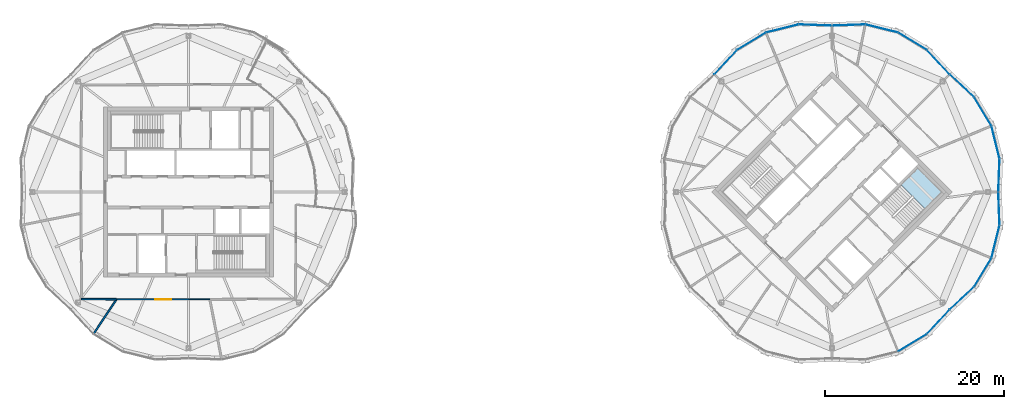
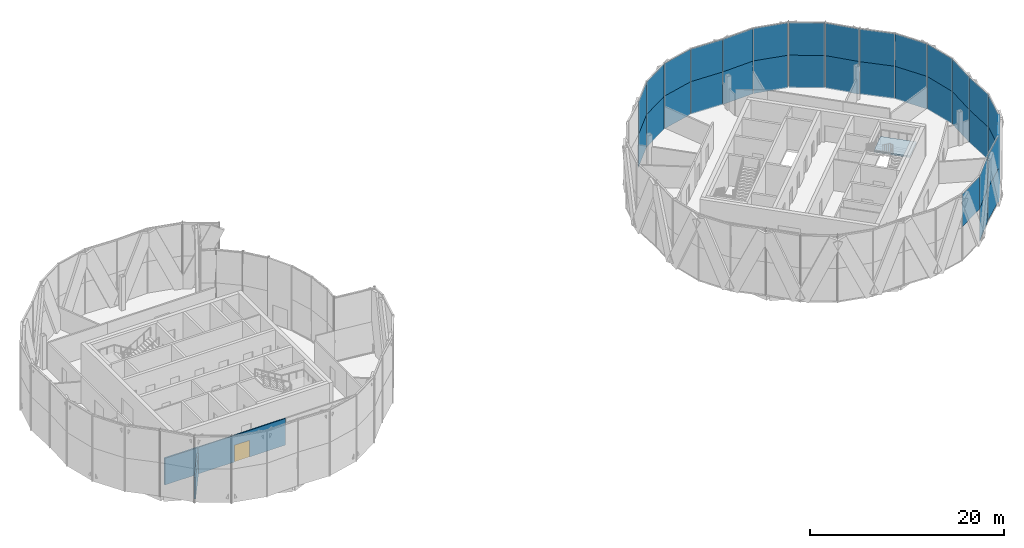
# One storey, part 15 of 24: 35 plates, 3 walls, 1 door, 1 slab, 1 opening, 6 elements without a shape of their own.
"""IFC4 building model written with IfcOpenShell, lengths in metres."""

from ifc_helpers import new_model, si_unit, direction, frame, frame_2d, origin, origin_2d, place, context, subcontext, project, spatial, polyline, rectangle, outline, extrude, material, layer, layer_set, type_object, element, fill, aggregate, save


model = new_model("IFC4")

# Units and contexts
model_context = context("Model", 3, precision=1e-05, world=origin(), true_north=direction((0.0, 1.0)))
body_context = subcontext(model_context, "Body", "Model", "MODEL_VIEW")
ifc_project = project(units=[si_unit("LENGTHUNIT", "METRE"), si_unit("AREAUNIT", "SQUARE_METRE"), si_unit("VOLUMEUNIT", "CUBIC_METRE"), si_unit("PLANEANGLEUNIT", "RADIAN"), si_unit("MASSUNIT", "GRAM", prefix="KILO")], contexts=[model_context])

# Site, building, storey
site_placement = place(None, origin())
site = spatial("IfcSite", under=ifc_project, at=site_placement, CompositionType="ELEMENT")
building_placement = place(site_placement, origin())
building = spatial("IfcBuilding", under=site, at=building_placement, Name="Ogive Gate Towers", CompositionType="ELEMENT")
storey_placement = place(building_placement, frame((0.0, 0.0, 277.199951171875)))
storey = spatial("IfcBuildingStorey", under=building, at=storey_placement, Name="L65", CompositionType="ELEMENT", Elevation=277.199951171875)

# Stair, slab
ifc_material_1 = material(Name="Concrete C40/50", Category="concrete")
stair_type = type_object("IfcStairType", Name="Escape stair 1840 wide", PredefinedType="HALF_TURN_STAIR", material=ifc_material_1)
stair_placement = place(storey_placement, origin())
stair = element("IfcStair", 1, at=stair_placement, inside=storey, type_object=stair_type, Name="L65 Escape stair 2", PredefinedType="HALF_TURN_STAIR")
ifc_layer_1 = layer(ifc_material_1, 0.199951171875)
ifc_layer_set_1 = layer_set([ifc_layer_1], Name="Stair landing 200 mm")
slab_type = type_object("IfcSlabType", Name="Stair landing 200 mm", PredefinedType="LANDING", material=ifc_layer_set_1)
slab_placement = place(storey_placement, frame((0.0, 0.0, 1.900146484375)))
slab = element("IfcSlab", 2, at=slab_placement, type_object=slab_type, Name="ST2 landing 1", PredefinedType="LANDING", context=body_context, shape_type="SweptSolid", body=[
    extrude(outline(polyline([(46.413818359375, -1.8896484375), (48.3037109375, 0.0), (45.598876953125, 2.70458984375), (43.709228515625, 0.81494140625), (46.413818359375, -1.8896484375)])), origin(), (0.0, 0.0, 1.0), 0.199951171875),
])
aggregate(stair, [slab])

# Curtain wall, plates
ifc_material_2 = material(Name="Pale metal aluminium", Category="aluminium")
curtain_wall_type = type_object("IfcCurtainWallType", Name="Tower unitised wall, high zone", PredefinedType="NOTDEFINED", material=ifc_material_2)
curtain_wall_1_placement = place(storey_placement, origin())
curtain_wall_1 = element("IfcCurtainWall", 3, at=curtain_wall_1_placement, inside=storey, type_object=curtain_wall_type, Name="CW2 T2 ECW01", PredefinedType="NOTDEFINED")
ifc_material_3 = material(Name="Clear glass", Category="glass")
ifc_layer_2 = layer(ifc_material_3, 0.028076171875)
ifc_layer_set_2 = layer_set([ifc_layer_2], Name="Tower unitised wall, high zone glass panel")
plate_type = type_object("IfcPlateType", Name="Tower unitised wall, high zone glass panel", PredefinedType="CURTAIN_PANEL", material=ifc_layer_set_2)
plate_1_placement = place(storey_placement, frame((54.677490234375, 1.857421875, -0.203857421875), z_axis=(0.0, 0.0, 1.0), x_axis=(0.036294875066, 0.999341123963, 0.0)))
plate_1 = element("IfcPlate", 4, at=plate_1_placement, type_object=plate_type, Name="CW2 glass panel", PredefinedType="CURTAIN_PANEL", context=body_context, shape_type="SweptSolid", body=[
    extrude(rectangle(XDim=3.66357421875, YDim=0.028076171875, at=origin_2d()), origin(), (0.0, 0.0, 1.0), 4.10400390625),
])
plate_2_placement = place(storey_placement, frame((54.677490234375, 1.857421875, 3.900146484375), z_axis=(0.0, 0.0, 1.0), x_axis=(0.036294875066, 0.999341123963, 0.0)))
plate_2 = element("IfcPlate", 5, at=plate_2_placement, type_object=plate_type, Name="CW2 glass panel", PredefinedType="CURTAIN_PANEL", context=body_context, shape_type="SweptSolid", body=[
    extrude(rectangle(XDim=3.66357421875, YDim=0.028076171875, at=origin_2d()), origin(), (0.0, 0.0, 1.0), 4.10400390625),
])
plate_3_placement = place(storey_placement, frame((54.293212890625, 5.554443359375, -0.203857421875), z_axis=(0.0, 0.0, 1.0), x_axis=(-0.239109698229, 0.970992560328, 0.0)))
plate_3 = element("IfcPlate", 6, at=plate_3_placement, type_object=plate_type, Name="CW2 glass panel", PredefinedType="CURTAIN_PANEL", context=body_context, shape_type="SweptSolid", body=[
    extrude(rectangle(XDim=3.71875, YDim=0.028076171875, at=origin_2d()), origin(), (0.0, 0.0, 1.0), 4.10400390625),
])
plate_4_placement = place(storey_placement, frame((54.293212890625, 5.554443359375, 3.900146484375), z_axis=(0.0, 0.0, 1.0), x_axis=(-0.239109698229, 0.970992560328, 0.0)))
plate_4 = element("IfcPlate", 7, at=plate_4_placement, type_object=plate_type, Name="CW2 glass panel", PredefinedType="CURTAIN_PANEL", context=body_context, shape_type="SweptSolid", body=[
    extrude(rectangle(XDim=3.71875, YDim=0.028076171875, at=origin_2d()), origin(), (0.0, 0.0, 1.0), 4.10400390625),
])
plate_5_placement = place(storey_placement, frame((52.86279296875, 9.0078125, -0.203857421875), z_axis=(0.0, 0.0, 1.0), x_axis=(-0.517519334825, 0.855671512955, 0.0)))
plate_5 = element("IfcPlate", 8, at=plate_5_placement, type_object=plate_type, Name="CW2 glass panel", PredefinedType="CURTAIN_PANEL", context=body_context, shape_type="SweptSolid", body=[
    extrude(rectangle(XDim=3.718505859375, YDim=0.028076171875, at=origin_2d()), origin(), (0.0, 0.0, 1.0), 4.10400390625),
])
plate_6_placement = place(storey_placement, frame((52.86279296875, 9.0078125, 3.900146484375), z_axis=(0.0, 0.0, 1.0), x_axis=(-0.517519334825, 0.855671512955, 0.0)))
plate_6 = element("IfcPlate", 9, at=plate_6_placement, type_object=plate_type, Name="CW2 glass panel", PredefinedType="CURTAIN_PANEL", context=body_context, shape_type="SweptSolid", body=[
    extrude(rectangle(XDim=3.718505859375, YDim=0.028076171875, at=origin_2d()), origin(), (0.0, 0.0, 1.0), 4.10400390625),
])
plate_7_placement = place(storey_placement, frame((50.5205078125, 11.8935546875, -0.203857421875), z_axis=(0.0, 0.0, 1.0), x_axis=(-0.732317122925, 0.680963751951, 0.0)))
plate_7 = element("IfcPlate", 10, at=plate_7_placement, type_object=plate_type, Name="CW2 glass panel", PredefinedType="CURTAIN_PANEL", context=body_context, shape_type="SweptSolid", body=[
    extrude(rectangle(XDim=3.66357421875, YDim=0.028076171875, at=origin_2d()), origin(), (0.0, 0.0, 1.0), 4.10400390625),
])
plate_8_placement = place(storey_placement, frame((50.5205078125, 11.8935546875, 3.900146484375), z_axis=(0.0, 0.0, 1.0), x_axis=(-0.732317122925, 0.680963751951, 0.0)))
plate_8 = element("IfcPlate", 11, at=plate_8_placement, type_object=plate_type, Name="CW2 glass panel", PredefinedType="CURTAIN_PANEL", context=body_context, shape_type="SweptSolid", body=[
    extrude(rectangle(XDim=3.66357421875, YDim=0.028076171875, at=origin_2d()), origin(), (0.0, 0.0, 1.0), 4.10400390625),
])
aggregate(curtain_wall_1, [plate_1, plate_2, plate_3, plate_4, plate_5, plate_6, plate_7, plate_8])

curtain_wall_2_placement = place(storey_placement, origin())
curtain_wall_2 = element("IfcCurtainWall", 12, at=curtain_wall_2_placement, inside=storey, type_object=curtain_wall_type, Name="CW2 T2 ECW02", PredefinedType="NOTDEFINED")
plate_9_placement = place(storey_placement, frame((47.8935546875, 14.5205078125, -0.203857421875), z_axis=(0.0, 0.0, 1.0), x_axis=(-0.680963751951, 0.732317122925, 0.0)))
plate_9 = element("IfcPlate", 13, at=plate_9_placement, type_object=plate_type, Name="CW2 glass panel", PredefinedType="CURTAIN_PANEL", context=body_context, shape_type="SweptSolid", body=[
    extrude(rectangle(XDim=3.66357421875, YDim=0.028076171875, at=origin_2d()), origin(), (0.0, 0.0, 1.0), 4.10400390625),
])
plate_10_placement = place(storey_placement, frame((47.8935546875, 14.5205078125, 3.900146484375), z_axis=(0.0, 0.0, 1.0), x_axis=(-0.680963751951, 0.732317122925, 0.0)))
plate_10 = element("IfcPlate", 14, at=plate_10_placement, type_object=plate_type, Name="CW2 glass panel", PredefinedType="CURTAIN_PANEL", context=body_context, shape_type="SweptSolid", body=[
    extrude(rectangle(XDim=3.66357421875, YDim=0.028076171875, at=origin_2d()), origin(), (0.0, 0.0, 1.0), 4.10400390625),
])
plate_11_placement = place(storey_placement, frame((45.0078125, 16.86279296875, -0.203857421875), z_axis=(0.0, 0.0, 1.0), x_axis=(-0.855671512955, 0.517519334825, 0.0)))
plate_11 = element("IfcPlate", 15, at=plate_11_placement, type_object=plate_type, Name="CW2 glass panel", PredefinedType="CURTAIN_PANEL", context=body_context, shape_type="SweptSolid", body=[
    extrude(rectangle(XDim=3.718505859375, YDim=0.028076171875, at=origin_2d()), origin(), (0.0, 0.0, 1.0), 4.10400390625),
])
plate_12_placement = place(storey_placement, frame((45.0078125, 16.86279296875, 3.900146484375), z_axis=(0.0, 0.0, 1.0), x_axis=(-0.855671512955, 0.517519334825, 0.0)))
plate_12 = element("IfcPlate", 16, at=plate_12_placement, type_object=plate_type, Name="CW2 glass panel", PredefinedType="CURTAIN_PANEL", context=body_context, shape_type="SweptSolid", body=[
    extrude(rectangle(XDim=3.718505859375, YDim=0.028076171875, at=origin_2d()), origin(), (0.0, 0.0, 1.0), 4.10400390625),
])
plate_13_placement = place(storey_placement, frame((41.554443359375, 18.293212890625, -0.203857421875), z_axis=(0.0, 0.0, 1.0), x_axis=(-0.970992560328, 0.239109698229, 0.0)))
plate_13 = element("IfcPlate", 17, at=plate_13_placement, type_object=plate_type, Name="CW2 glass panel", PredefinedType="CURTAIN_PANEL", context=body_context, shape_type="SweptSolid", body=[
    extrude(rectangle(XDim=3.71875, YDim=0.028076171875, at=origin_2d()), origin(), (0.0, 0.0, 1.0), 4.10400390625),
])
plate_14_placement = place(storey_placement, frame((41.554443359375, 18.293212890625, 3.900146484375), z_axis=(0.0, 0.0, 1.0), x_axis=(-0.970992560328, 0.239109698229, 0.0)))
plate_14 = element("IfcPlate", 18, at=plate_14_placement, type_object=plate_type, Name="CW2 glass panel", PredefinedType="CURTAIN_PANEL", context=body_context, shape_type="SweptSolid", body=[
    extrude(rectangle(XDim=3.71875, YDim=0.028076171875, at=origin_2d()), origin(), (0.0, 0.0, 1.0), 4.10400390625),
])
plate_15_placement = place(storey_placement, frame((37.857421875, 18.677490234375, -0.203857421875), z_axis=(0.0, 0.0, 1.0), x_axis=(-0.999341123963, -0.036294875066, 0.0)))
plate_15 = element("IfcPlate", 19, at=plate_15_placement, type_object=plate_type, Name="CW2 glass panel", PredefinedType="CURTAIN_PANEL", context=body_context, shape_type="SweptSolid", body=[
    extrude(rectangle(XDim=3.66357421875, YDim=0.028076171875, at=origin_2d()), origin(), (0.0, 0.0, 1.0), 4.10400390625),
])
plate_16_placement = place(storey_placement, frame((37.857421875, 18.677490234375, 3.900146484375), z_axis=(0.0, 0.0, 1.0), x_axis=(-0.999341123963, -0.036294875066, 0.0)))
plate_16 = element("IfcPlate", 20, at=plate_16_placement, type_object=plate_type, Name="CW2 glass panel", PredefinedType="CURTAIN_PANEL", context=body_context, shape_type="SweptSolid", body=[
    extrude(rectangle(XDim=3.66357421875, YDim=0.028076171875, at=origin_2d()), origin(), (0.0, 0.0, 1.0), 4.10400390625),
])
aggregate(curtain_wall_2, [plate_9, plate_10, plate_11, plate_12, plate_13, plate_14, plate_15, plate_16])

curtain_wall_3_placement = place(storey_placement, origin())
curtain_wall_3 = element("IfcCurtainWall", 21, at=curtain_wall_3_placement, inside=storey, type_object=curtain_wall_type, Name="CW2 T2 ECW03", PredefinedType="NOTDEFINED")
plate_17_placement = place(storey_placement, frame((34.142578125, 18.677490234375, -0.203857421875), z_axis=(0.0, 0.0, 1.0), x_axis=(-0.999341123963, 0.036294875066, 0.0)))
plate_17 = element("IfcPlate", 22, at=plate_17_placement, type_object=plate_type, Name="CW2 glass panel", PredefinedType="CURTAIN_PANEL", context=body_context, shape_type="SweptSolid", body=[
    extrude(rectangle(XDim=3.66357421875, YDim=0.028076171875, at=origin_2d()), origin(), (0.0, 0.0, 1.0), 4.10400390625),
])
plate_18_placement = place(storey_placement, frame((34.142578125, 18.677490234375, 3.900146484375), z_axis=(0.0, 0.0, 1.0), x_axis=(-0.999341123963, 0.036294875066, 0.0)))
plate_18 = element("IfcPlate", 23, at=plate_18_placement, type_object=plate_type, Name="CW2 glass panel", PredefinedType="CURTAIN_PANEL", context=body_context, shape_type="SweptSolid", body=[
    extrude(rectangle(XDim=3.66357421875, YDim=0.028076171875, at=origin_2d()), origin(), (0.0, 0.0, 1.0), 4.10400390625),
])
plate_19_placement = place(storey_placement, frame((30.445556640625, 18.293212890625, -0.203857421875), z_axis=(0.0, 0.0, 1.0), x_axis=(-0.970992560328, -0.239109698229, 0.0)))
plate_19 = element("IfcPlate", 24, at=plate_19_placement, type_object=plate_type, Name="CW2 glass panel", PredefinedType="CURTAIN_PANEL", context=body_context, shape_type="SweptSolid", body=[
    extrude(rectangle(XDim=3.71875, YDim=0.028076171875, at=origin_2d()), origin(), (0.0, 0.0, 1.0), 4.10400390625),
])
plate_20_placement = place(storey_placement, frame((30.445556640625, 18.293212890625, 3.900146484375), z_axis=(0.0, 0.0, 1.0), x_axis=(-0.970992560328, -0.239109698229, 0.0)))
plate_20 = element("IfcPlate", 25, at=plate_20_placement, type_object=plate_type, Name="CW2 glass panel", PredefinedType="CURTAIN_PANEL", context=body_context, shape_type="SweptSolid", body=[
    extrude(rectangle(XDim=3.71875, YDim=0.028076171875, at=origin_2d()), origin(), (0.0, 0.0, 1.0), 4.10400390625),
])
plate_21_placement = place(storey_placement, frame((26.9921875, 16.86279296875, -0.203857421875), z_axis=(0.0, 0.0, 1.0), x_axis=(-0.855671512955, -0.517519334825, 0.0)))
plate_21 = element("IfcPlate", 26, at=plate_21_placement, type_object=plate_type, Name="CW2 glass panel", PredefinedType="CURTAIN_PANEL", context=body_context, shape_type="SweptSolid", body=[
    extrude(rectangle(XDim=3.718505859375, YDim=0.028076171875, at=origin_2d()), origin(), (0.0, 0.0, 1.0), 4.10400390625),
])
plate_22_placement = place(storey_placement, frame((26.9921875, 16.86279296875, 3.900146484375), z_axis=(0.0, 0.0, 1.0), x_axis=(-0.855671512955, -0.517519334825, 0.0)))
plate_22 = element("IfcPlate", 27, at=plate_22_placement, type_object=plate_type, Name="CW2 glass panel", PredefinedType="CURTAIN_PANEL", context=body_context, shape_type="SweptSolid", body=[
    extrude(rectangle(XDim=3.718505859375, YDim=0.028076171875, at=origin_2d()), origin(), (0.0, 0.0, 1.0), 4.10400390625),
])
plate_23_placement = place(storey_placement, frame((24.1064453125, 14.5205078125, -0.203857421875), z_axis=(0.0, 0.0, 1.0), x_axis=(-0.680963751951, -0.732317122925, 0.0)))
plate_23 = element("IfcPlate", 28, at=plate_23_placement, type_object=plate_type, Name="CW2 glass panel", PredefinedType="CURTAIN_PANEL", context=body_context, shape_type="SweptSolid", body=[
    extrude(rectangle(XDim=3.66357421875, YDim=0.028076171875, at=origin_2d()), origin(), (0.0, 0.0, 1.0), 4.10400390625),
])
plate_24_placement = place(storey_placement, frame((24.1064453125, 14.5205078125, 3.900146484375), z_axis=(0.0, 0.0, 1.0), x_axis=(-0.680963751951, -0.732317122925, 0.0)))
plate_24 = element("IfcPlate", 29, at=plate_24_placement, type_object=plate_type, Name="CW2 glass panel", PredefinedType="CURTAIN_PANEL", context=body_context, shape_type="SweptSolid", body=[
    extrude(rectangle(XDim=3.66357421875, YDim=0.028076171875, at=origin_2d()), origin(), (0.0, 0.0, 1.0), 4.10400390625),
])
aggregate(curtain_wall_3, [plate_17, plate_18, plate_19, plate_20, plate_21, plate_22, plate_23, plate_24])

curtain_wall_4_placement = place(storey_placement, origin())
curtain_wall_4 = element("IfcCurtainWall", 30, at=curtain_wall_4_placement, inside=storey, type_object=curtain_wall_type, Name="CW2 T2 ECW07", PredefinedType="NOTDEFINED")
plate_25_placement = place(storey_placement, frame((45.0078125, -16.86279296875, 3.900146484375), z_axis=(0.0, 0.0, 1.0), x_axis=(0.855671512955, 0.517519334825, 0.0)))
plate_25 = element("IfcPlate", 31, at=plate_25_placement, type_object=plate_type, Name="CW2 glass panel", PredefinedType="CURTAIN_PANEL", context=body_context, shape_type="SweptSolid", body=[
    extrude(rectangle(XDim=3.718505859375, YDim=0.028076171875, at=origin_2d()), origin(), (0.0, 0.0, 1.0), 4.10400390625),
])
plate_26_placement = place(storey_placement, frame((47.8935546875, -14.5205078125, -0.203857421875), z_axis=(0.0, 0.0, 1.0), x_axis=(0.680963751951, 0.732317122925, 0.0)))
plate_26 = element("IfcPlate", 32, at=plate_26_placement, type_object=plate_type, Name="CW2 glass panel", PredefinedType="CURTAIN_PANEL", context=body_context, shape_type="SweptSolid", body=[
    extrude(rectangle(XDim=3.66357421875, YDim=0.028076171875, at=origin_2d()), origin(), (0.0, 0.0, 1.0), 4.10400390625),
])
plate_27_placement = place(storey_placement, frame((47.8935546875, -14.5205078125, 3.900146484375), z_axis=(0.0, 0.0, 1.0), x_axis=(0.680963751951, 0.732317122925, 0.0)))
plate_27 = element("IfcPlate", 33, at=plate_27_placement, type_object=plate_type, Name="CW2 glass panel", PredefinedType="CURTAIN_PANEL", context=body_context, shape_type="SweptSolid", body=[
    extrude(rectangle(XDim=3.66357421875, YDim=0.028076171875, at=origin_2d()), origin(), (0.0, 0.0, 1.0), 4.10400390625),
])
aggregate(curtain_wall_4, [plate_25, plate_26, plate_27])

curtain_wall_5_placement = place(storey_placement, origin())
curtain_wall_5 = element("IfcCurtainWall", 34, at=curtain_wall_5_placement, inside=storey, type_object=curtain_wall_type, Name="CW2 T2 ECW08", PredefinedType="NOTDEFINED")
plate_28_placement = place(storey_placement, frame((50.5205078125, -11.8935546875, -0.203857421875), z_axis=(0.0, 0.0, 1.0), x_axis=(0.732317122925, 0.680963751951, 0.0)))
plate_28 = element("IfcPlate", 35, at=plate_28_placement, type_object=plate_type, Name="CW2 glass panel", PredefinedType="CURTAIN_PANEL", context=body_context, shape_type="SweptSolid", body=[
    extrude(rectangle(XDim=3.66357421875, YDim=0.028076171875, at=origin_2d()), origin(), (0.0, 0.0, 1.0), 4.10400390625),
])
plate_29_placement = place(storey_placement, frame((50.5205078125, -11.8935546875, 3.900146484375), z_axis=(0.0, 0.0, 1.0), x_axis=(0.732317122925, 0.680963751951, 0.0)))
plate_29 = element("IfcPlate", 36, at=plate_29_placement, type_object=plate_type, Name="CW2 glass panel", PredefinedType="CURTAIN_PANEL", context=body_context, shape_type="SweptSolid", body=[
    extrude(rectangle(XDim=3.66357421875, YDim=0.028076171875, at=origin_2d()), origin(), (0.0, 0.0, 1.0), 4.10400390625),
])
plate_30_placement = place(storey_placement, frame((52.86279296875, -9.0078125, -0.203857421875), z_axis=(0.0, 0.0, 1.0), x_axis=(0.517519334825, 0.855671512955, 0.0)))
plate_30 = element("IfcPlate", 37, at=plate_30_placement, type_object=plate_type, Name="CW2 glass panel", PredefinedType="CURTAIN_PANEL", context=body_context, shape_type="SweptSolid", body=[
    extrude(rectangle(XDim=3.718505859375, YDim=0.028076171875, at=origin_2d()), origin(), (0.0, 0.0, 1.0), 4.10400390625),
])
plate_31_placement = place(storey_placement, frame((52.86279296875, -9.0078125, 3.900146484375), z_axis=(0.0, 0.0, 1.0), x_axis=(0.517519334825, 0.855671512955, 0.0)))
plate_31 = element("IfcPlate", 38, at=plate_31_placement, type_object=plate_type, Name="CW2 glass panel", PredefinedType="CURTAIN_PANEL", context=body_context, shape_type="SweptSolid", body=[
    extrude(rectangle(XDim=3.718505859375, YDim=0.028076171875, at=origin_2d()), origin(), (0.0, 0.0, 1.0), 4.10400390625),
])
plate_32_placement = place(storey_placement, frame((54.293212890625, -5.554443359375, -0.203857421875), z_axis=(0.0, 0.0, 1.0), x_axis=(0.239109698229, 0.970992560328, 0.0)))
plate_32 = element("IfcPlate", 39, at=plate_32_placement, type_object=plate_type, Name="CW2 glass panel", PredefinedType="CURTAIN_PANEL", context=body_context, shape_type="SweptSolid", body=[
    extrude(rectangle(XDim=3.71875, YDim=0.028076171875, at=origin_2d()), origin(), (0.0, 0.0, 1.0), 4.10400390625),
])
plate_33_placement = place(storey_placement, frame((54.293212890625, -5.554443359375, 3.900146484375), z_axis=(0.0, 0.0, 1.0), x_axis=(0.239109698229, 0.970992560328, 0.0)))
plate_33 = element("IfcPlate", 40, at=plate_33_placement, type_object=plate_type, Name="CW2 glass panel", PredefinedType="CURTAIN_PANEL", context=body_context, shape_type="SweptSolid", body=[
    extrude(rectangle(XDim=3.71875, YDim=0.028076171875, at=origin_2d()), origin(), (0.0, 0.0, 1.0), 4.10400390625),
])
plate_34_placement = place(storey_placement, frame((54.677490234375, -1.857421875, -0.203857421875), z_axis=(0.0, 0.0, 1.0), x_axis=(-0.036294875066, 0.999341123963, 0.0)))
plate_34 = element("IfcPlate", 41, at=plate_34_placement, type_object=plate_type, Name="CW2 glass panel", PredefinedType="CURTAIN_PANEL", context=body_context, shape_type="SweptSolid", body=[
    extrude(rectangle(XDim=3.66357421875, YDim=0.028076171875, at=origin_2d()), origin(), (0.0, 0.0, 1.0), 4.10400390625),
])
plate_35_placement = place(storey_placement, frame((54.677490234375, -1.857421875, 3.900146484375), z_axis=(0.0, 0.0, 1.0), x_axis=(-0.036294875066, 0.999341123963, 0.0)))
plate_35 = element("IfcPlate", 42, at=plate_35_placement, type_object=plate_type, Name="CW2 glass panel", PredefinedType="CURTAIN_PANEL", context=body_context, shape_type="SweptSolid", body=[
    extrude(rectangle(XDim=3.66357421875, YDim=0.028076171875, at=origin_2d()), origin(), (0.0, 0.0, 1.0), 4.10400390625),
])
aggregate(curtain_wall_5, [plate_28, plate_29, plate_30, plate_31, plate_32, plate_33, plate_34, plate_35])

# Walls
ifc_material_4 = material(Name="Gypsum board acoustic partition")
ifc_layer_3 = layer(ifc_material_4, 0.175048828125)
ifc_layer_set_3 = layer_set([ifc_layer_3], Name="Acoustic partition 175")
wall_type_1 = type_object("IfcWallType", Name="Acoustic partition 175", PredefinedType="PARTITIONING", material=ifc_layer_set_3)
wall_1_placement = place(storey_placement, frame((-46.56884765625, -15.800537109375, 0.0), z_axis=(0.0, 0.0, 1.0), x_axis=(0.555969355527, 0.831202788563, 0.0)))
element("IfcWall", 43, at=wall_1_placement, inside=storey, type_object=wall_type_1, Name="Partition T1-L65-005", PredefinedType="PARTITIONING", context=body_context, shape_type="SweptSolid", body=[
    extrude(rectangle(XDim=4.481201171875, YDim=0.175048828125, at=frame_2d((2.24072265625, 0.0))), origin(), (0.0, 0.0, 1.0), 2.699951171875),
])
wall_2_placement = place(storey_placement, frame((-44.02880859375, -12.0029296875, 0.0), z_axis=(0.0, 0.0, 1.0), x_axis=(-0.9999831328, 0.005808107667, 0.0)))
element("IfcWall", 44, at=wall_2_placement, inside=storey, type_object=wall_type_1, Name="Partition T1-L65-014", PredefinedType="PARTITIONING", context=body_context, shape_type="SweptSolid", body=[
    extrude(rectangle(XDim=3.951171875, YDim=0.175048828125, at=frame_2d((1.9755859375, 0.0))), origin(), (0.0, 0.0, 1.0), 3.35009765625),
])

# Wall, opening, door
ifc_material_5 = material(Name="Gypsum board partition")
ifc_layer_4 = layer(ifc_material_5, 0.125)
ifc_layer_set_4 = layer_set([ifc_layer_4], Name="Partition 125")
wall_type_2 = type_object("IfcWallType", Name="Partition 125", PredefinedType="PARTITIONING", material=ifc_layer_set_4)
wall_3_placement = place(storey_placement, frame((-33.617919921875, -12.006591796875, 0.0), z_axis=(0.0, 0.0, 1.0), x_axis=(-0.999999938133, 0.000351757594, 0.0)))
wall_3 = element("IfcWall", 45, at=wall_3_placement, inside=storey, type_object=wall_type_2, Name="Partition T1-L65-012", PredefinedType="PARTITIONING", context=body_context, shape_type="SweptSolid", body=[
    extrude(rectangle(XDim=10.410888671875, YDim=0.125, at=frame_2d((5.20556640625, 0.0))), origin(), (0.0, 0.0, 1.0), 3.35009765625),
])
opening_placement = place(wall_3_placement, frame((4.304931640625, 0.0, 0.0)))
opening = element("IfcOpeningElement", 46, at=opening_placement, cuts=wall_3, Name="Opening T1-L65-D03", PredefinedType="OPENING", context=body_context, shape_type="SweptSolid", body=[
    extrude(rectangle(XDim=1.800048828125, YDim=2.10009765625, at=frame_2d((0.89990234375, 1.050048828125))), frame((0.0, 0.072509765625, 0.0), z_axis=(0.0, -1.0, 0.0), x_axis=(1.0, 0.0, 0.0)), (0.0, 0.0, 1.0), 0.14501953125),
])
ifc_material_6 = material(Name="Timber door", Category="wood")
door_type = type_object("IfcDoorType", Name="Door pair 1800", OperationType="NOTDEFINED", PredefinedType="DOOR", material=ifc_material_6)
door_placement = place(opening_placement, origin())
door = element("IfcDoor", 47, at=door_placement, inside=storey, type_object=door_type, Name="Door T1-L65-D03", OperationType="DOUBLE_DOOR_DOUBLE_SWING", OverallHeight=2.10009765625, OverallWidth=1.800048828125, PredefinedType="DOOR", context=body_context, shape_type="SweptSolid", body=[
    extrude(rectangle(XDim=1.800048828125, YDim=2.10009765625, at=frame_2d((0.89990234375, 1.050048828125))), frame((0.0, 0.02490234375, 0.0), z_axis=(0.0, -1.0, 0.0), x_axis=(1.0, 0.0, 0.0)), (0.0, 0.0, 1.0), 0.050048828125),
])
fill(opening, door)

save(model, "model.ifc")
